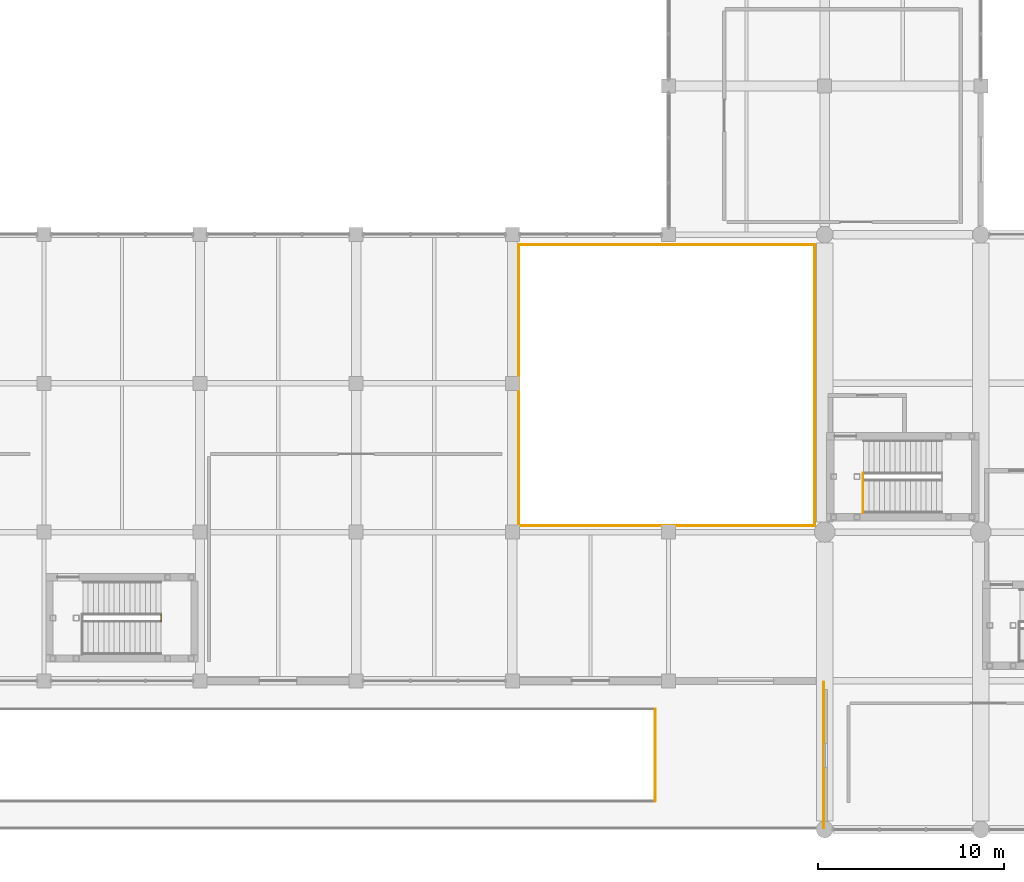
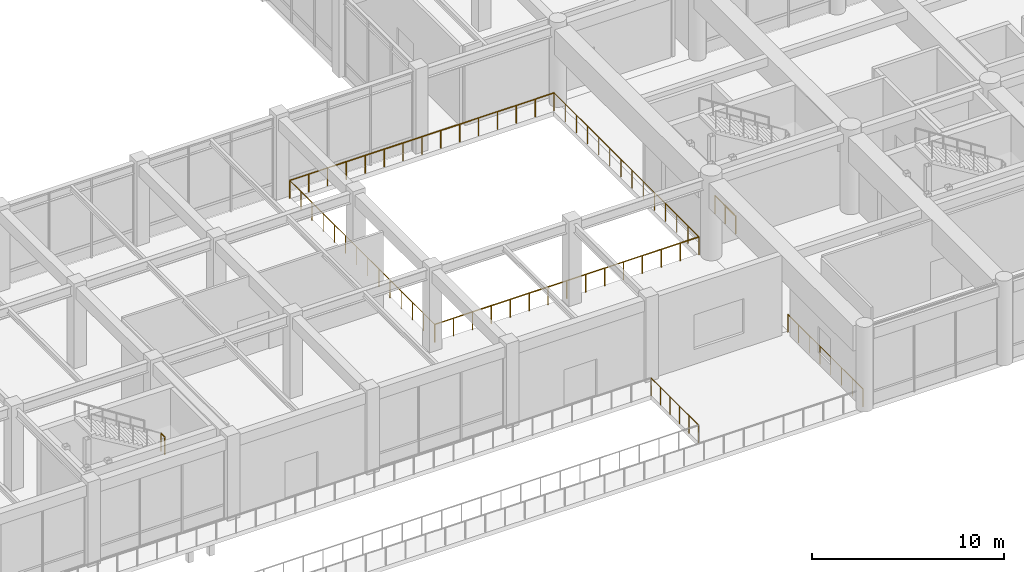
# One storey, part 74 of 79: 8 railings.
"""IFC4 building model written with IfcOpenShell, lengths in metres."""

from ifc_helpers import new_model, si_unit, direction, frame, origin, origin_2d, place, context, subcontext, project, spatial, circle, extrude, material, layer, layer_set, type_object, element, save


model = new_model("IFC4")

# Units and contexts
model_context = context("Model", 3, precision=1e-05, world=origin(), true_north=direction((0.0, 1.0)))
body_context = subcontext(model_context, "Body", "Model", "MODEL_VIEW")
ifc_project = project(units=[si_unit("LENGTHUNIT", "METRE"), si_unit("AREAUNIT", "SQUARE_METRE"), si_unit("VOLUMEUNIT", "CUBIC_METRE"), si_unit("PLANEANGLEUNIT", "RADIAN"), si_unit("MASSUNIT", "GRAM", prefix="KILO")], contexts=[model_context])

# Site, building, storey
site_placement = place(None, origin())
site = spatial("IfcSite", under=ifc_project, at=site_placement, CompositionType="ELEMENT")
building_placement = place(site_placement, origin())
building = spatial("IfcBuilding", under=site, at=building_placement, Name="Naruveol Harbour Congress Hotel", CompositionType="ELEMENT")
storey_placement = place(building_placement, frame((0.0, 0.0, 6.0)))
storey = spatial("IfcBuildingStorey", under=building, at=storey_placement, Name="L01", CompositionType="ELEMENT", Elevation=6.0)

# Railings
ifc_material_1 = material(Name="Steel SN490", Category="steel")
ifc_layer_1 = layer(ifc_material_1, 0.050048828125)
ifc_layer_set_1 = layer_set([ifc_layer_1], Name="Steel SN490")
railing_type_1 = type_object("IfcRailingType", Name="GALVANISED STEEL DECK GUARDRAIL 1150", PredefinedType="GUARDRAIL", material=ifc_layer_set_1)
railing_1_placement = place(storey_placement, frame((108.47998046875, 1.52001953125, 0.0)))
element("IfcRailing", 1, at=railing_1_placement, inside=storey, type_object=railing_type_1, Name="Promenade ramp well guard #6", PredefinedType="GUARDRAIL", context=body_context, shape_type="SweptSolid", body=[
    extrude(circle(Radius=0.02392578125, at=origin_2d()), frame((0.0, 0.0, 1.1259765625), z_axis=(0.0, 1.0, 0.0), x_axis=(-1.0, 0.0, 0.0)), (0.0, 0.0, 1.0), 4.9599609375),
    extrude(circle(Radius=0.02099609375, at=origin_2d()), origin(), (0.0, 0.0, 1.0), 1.101806640625),
    extrude(circle(Radius=0.02099609375, at=origin_2d()), frame((0.0, 0.991943359375, 0.0)), (0.0, 0.0, 1.0), 1.101806640625),
    extrude(circle(Radius=0.02099609375, at=origin_2d()), frame((0.0, 1.98388671875, 0.0)), (0.0, 0.0, 1.0), 1.101806640625),
    extrude(circle(Radius=0.02099609375, at=origin_2d()), frame((0.0, 2.97607421875, 0.0)), (0.0, 0.0, 1.0), 1.101806640625),
    extrude(circle(Radius=0.02099609375, at=origin_2d()), frame((0.0, 3.968017578125, 0.0)), (0.0, 0.0, 1.0), 1.101806640625),
    extrude(circle(Radius=0.02099609375, at=origin_2d()), frame((0.0, 4.9599609375, 0.0)), (0.0, 0.0, 1.0), 1.101806640625),
])
ifc_material_2 = material(Name="Tempered Laminated Safety Glass & Stainless Steel", Category="steel")
ifc_layer_2 = layer(ifc_material_2, 0.06005859375)
ifc_layer_set_2 = layer_set([ifc_layer_2], Name="Tempered Laminated Safety Glass & Stainless Steel")
railing_type_2 = type_object("IfcRailingType", Name="LAMINATED GLASS TERRACE BALUSTRADE 1150", PredefinedType="BALUSTRADE", material=ifc_layer_set_2)
railing_2_placement = place(storey_placement, frame((117.550048828125, 0.080078125, 0.0)))
element("IfcRailing", 2, at=railing_2_placement, inside=storey, type_object=railing_type_2, Name="Promenade deck outer balustrade #3", PredefinedType="BALUSTRADE", context=body_context, shape_type="SweptSolid", body=[
    extrude(circle(Radius=0.02392578125, at=origin_2d()), frame((0.0, 0.0, 1.1259765625), z_axis=(0.0, 1.0, 0.0), x_axis=(-1.0, 0.0, 0.0)), (0.0, 0.0, 1.0), 7.83984375),
    extrude(circle(Radius=0.02099609375, at=origin_2d()), origin(), (0.0, 0.0, 1.0), 1.101806640625),
    extrude(circle(Radius=0.02099609375, at=origin_2d()), frame((0.0, 1.119873046875, 0.0)), (0.0, 0.0, 1.0), 1.101806640625),
    extrude(circle(Radius=0.02099609375, at=origin_2d()), frame((0.0, 2.239990234375, 0.0)), (0.0, 0.0, 1.0), 1.101806640625),
    extrude(circle(Radius=0.02099609375, at=origin_2d()), frame((0.0, 3.35986328125, 0.0)), (0.0, 0.0, 1.0), 1.101806640625),
    extrude(circle(Radius=0.02099609375, at=origin_2d()), frame((0.0, 4.47998046875, 0.0)), (0.0, 0.0, 1.0), 1.101806640625),
    extrude(circle(Radius=0.02099609375, at=origin_2d()), frame((0.0, 5.599853515625, 0.0)), (0.0, 0.0, 1.0), 1.101806640625),
    extrude(circle(Radius=0.02099609375, at=origin_2d()), frame((0.0, 6.719970703125, 0.0)), (0.0, 0.0, 1.0), 1.101806640625),
    extrude(circle(Radius=0.02099609375, at=origin_2d()), frame((0.0, 7.83984375, 0.0)), (0.0, 0.0, 1.0), 1.101806640625),
])
railing_3_placement = place(storey_placement, frame((101.139892578125, 16.340087890625, 0.0)))
element("IfcRailing", 3, at=railing_3_placement, inside=storey, type_object=railing_type_2, Name="Courtyard atrium balustrade L01 #46", PredefinedType="BALUSTRADE", context=body_context, shape_type="SweptSolid", body=[
    extrude(circle(Radius=0.02392578125, at=origin_2d()), frame((0.0, 0.0, 1.1259765625), z_axis=(1.0, 0.0, 0.0), x_axis=(0.0, 1.0, 0.0)), (0.0, 0.0, 1.0), 15.920166015625),
    extrude(circle(Radius=0.02099609375, at=origin_2d()), origin(), (0.0, 0.0, 1.0), 1.101806640625),
    extrude(circle(Radius=0.02099609375, at=origin_2d()), frame((1.13720703125, 0.0, 0.0)), (0.0, 0.0, 1.0), 1.101806640625),
    extrude(circle(Radius=0.02099609375, at=origin_2d()), frame((2.2744140625, 0.0, 0.0)), (0.0, 0.0, 1.0), 1.101806640625),
    extrude(circle(Radius=0.02099609375, at=origin_2d()), frame((3.411376953125, 0.0, 0.0)), (0.0, 0.0, 1.0), 1.101806640625),
    extrude(circle(Radius=0.02099609375, at=origin_2d()), frame((4.548583984375, 0.0, 0.0)), (0.0, 0.0, 1.0), 1.101806640625),
    extrude(circle(Radius=0.02099609375, at=origin_2d()), frame((5.685791015625, 0.0, 0.0)), (0.0, 0.0, 1.0), 1.101806640625),
    extrude(circle(Radius=0.02099609375, at=origin_2d()), frame((6.822998046875, 0.0, 0.0)), (0.0, 0.0, 1.0), 1.101806640625),
    extrude(circle(Radius=0.02099609375, at=origin_2d()), frame((7.9599609375, 0.0, 0.0)), (0.0, 0.0, 1.0), 1.101806640625),
    extrude(circle(Radius=0.02099609375, at=origin_2d()), frame((9.09716796875, 0.0, 0.0)), (0.0, 0.0, 1.0), 1.101806640625),
    extrude(circle(Radius=0.02099609375, at=origin_2d()), frame((10.234375, 0.0, 0.0)), (0.0, 0.0, 1.0), 1.101806640625),
    extrude(circle(Radius=0.02099609375, at=origin_2d()), frame((11.37158203125, 0.0, 0.0)), (0.0, 0.0, 1.0), 1.101806640625),
    extrude(circle(Radius=0.02099609375, at=origin_2d()), frame((12.5087890625, 0.0, 0.0)), (0.0, 0.0, 1.0), 1.101806640625),
    extrude(circle(Radius=0.02099609375, at=origin_2d()), frame((13.645751953125, 0.0, 0.0)), (0.0, 0.0, 1.0), 1.101806640625),
    extrude(circle(Radius=0.02099609375, at=origin_2d()), frame((14.782958984375, 0.0, 0.0)), (0.0, 0.0, 1.0), 1.101806640625),
    extrude(circle(Radius=0.02099609375, at=origin_2d()), frame((15.920166015625, 0.0, 0.0)), (0.0, 0.0, 1.0), 1.101806640625),
])
railing_4_placement = place(storey_placement, frame((117.06005859375, 16.340087890625, 0.0)))
element("IfcRailing", 4, at=railing_4_placement, inside=storey, type_object=railing_type_2, Name="Courtyard atrium balustrade L01 #47", PredefinedType="BALUSTRADE", context=body_context, shape_type="SweptSolid", body=[
    extrude(circle(Radius=0.02392578125, at=origin_2d()), frame((0.0, 0.0, 1.1259765625), z_axis=(0.0, 1.0, 0.0), x_axis=(-1.0, 0.0, 0.0)), (0.0, 0.0, 1.0), 15.119873046875),
    extrude(circle(Radius=0.02099609375, at=origin_2d()), origin(), (0.0, 0.0, 1.0), 1.101806640625),
    extrude(circle(Radius=0.02099609375, at=origin_2d()), frame((0.0, 1.1630859375, 0.0)), (0.0, 0.0, 1.0), 1.101806640625),
    extrude(circle(Radius=0.02099609375, at=origin_2d()), frame((0.0, 2.326171875, 0.0)), (0.0, 0.0, 1.0), 1.101806640625),
    extrude(circle(Radius=0.02099609375, at=origin_2d()), frame((0.0, 3.4892578125, 0.0)), (0.0, 0.0, 1.0), 1.101806640625),
    extrude(circle(Radius=0.02099609375, at=origin_2d()), frame((0.0, 4.65234375, 0.0)), (0.0, 0.0, 1.0), 1.101806640625),
    extrude(circle(Radius=0.02099609375, at=origin_2d()), frame((0.0, 5.8154296875, 0.0)), (0.0, 0.0, 1.0), 1.101806640625),
    extrude(circle(Radius=0.02099609375, at=origin_2d()), frame((0.0, 6.978515625, 0.0)), (0.0, 0.0, 1.0), 1.101806640625),
    extrude(circle(Radius=0.02099609375, at=origin_2d()), frame((0.0, 8.141357421875, 0.0)), (0.0, 0.0, 1.0), 1.101806640625),
    extrude(circle(Radius=0.02099609375, at=origin_2d()), frame((0.0, 9.304443359375, 0.0)), (0.0, 0.0, 1.0), 1.101806640625),
    extrude(circle(Radius=0.02099609375, at=origin_2d()), frame((0.0, 10.467529296875, 0.0)), (0.0, 0.0, 1.0), 1.101806640625),
    extrude(circle(Radius=0.02099609375, at=origin_2d()), frame((0.0, 11.630615234375, 0.0)), (0.0, 0.0, 1.0), 1.101806640625),
    extrude(circle(Radius=0.02099609375, at=origin_2d()), frame((0.0, 12.793701171875, 0.0)), (0.0, 0.0, 1.0), 1.101806640625),
    extrude(circle(Radius=0.02099609375, at=origin_2d()), frame((0.0, 13.956787109375, 0.0)), (0.0, 0.0, 1.0), 1.101806640625),
    extrude(circle(Radius=0.02099609375, at=origin_2d()), frame((0.0, 15.119873046875, 0.0)), (0.0, 0.0, 1.0), 1.101806640625),
])
railing_5_placement = place(storey_placement, frame((117.06005859375, 31.4599609375, 0.0)))
element("IfcRailing", 5, at=railing_5_placement, inside=storey, type_object=railing_type_2, Name="Courtyard atrium balustrade L01 #48", PredefinedType="BALUSTRADE", context=body_context, shape_type="SweptSolid", body=[
    extrude(circle(Radius=0.02392578125, at=origin_2d()), frame((0.0, 0.0, 1.1259765625), z_axis=(-1.0, 0.0, 0.0), x_axis=(0.0, -1.0, 0.0)), (0.0, 0.0, 1.0), 15.920166015625),
    extrude(circle(Radius=0.02099609375, at=origin_2d()), origin(), (0.0, 0.0, 1.0), 1.101806640625),
    extrude(circle(Radius=0.02099609375, at=origin_2d()), frame((-1.13720703125, 0.0, 0.0)), (0.0, 0.0, 1.0), 1.101806640625),
    extrude(circle(Radius=0.02099609375, at=origin_2d()), frame((-2.2744140625, 0.0, 0.0)), (0.0, 0.0, 1.0), 1.101806640625),
    extrude(circle(Radius=0.02099609375, at=origin_2d()), frame((-3.411376953125, 0.0, 0.0)), (0.0, 0.0, 1.0), 1.101806640625),
    extrude(circle(Radius=0.02099609375, at=origin_2d()), frame((-4.548583984375, 0.0, 0.0)), (0.0, 0.0, 1.0), 1.101806640625),
    extrude(circle(Radius=0.02099609375, at=origin_2d()), frame((-5.685791015625, 0.0, 0.0)), (0.0, 0.0, 1.0), 1.101806640625),
    extrude(circle(Radius=0.02099609375, at=origin_2d()), frame((-6.822998046875, 0.0, 0.0)), (0.0, 0.0, 1.0), 1.101806640625),
    extrude(circle(Radius=0.02099609375, at=origin_2d()), frame((-7.9599609375, 0.0, 0.0)), (0.0, 0.0, 1.0), 1.101806640625),
    extrude(circle(Radius=0.02099609375, at=origin_2d()), frame((-9.09716796875, 0.0, 0.0)), (0.0, 0.0, 1.0), 1.101806640625),
    extrude(circle(Radius=0.02099609375, at=origin_2d()), frame((-10.234375, 0.0, 0.0)), (0.0, 0.0, 1.0), 1.101806640625),
    extrude(circle(Radius=0.02099609375, at=origin_2d()), frame((-11.37158203125, 0.0, 0.0)), (0.0, 0.0, 1.0), 1.101806640625),
    extrude(circle(Radius=0.02099609375, at=origin_2d()), frame((-12.5087890625, 0.0, 0.0)), (0.0, 0.0, 1.0), 1.101806640625),
    extrude(circle(Radius=0.02099609375, at=origin_2d()), frame((-13.645751953125, 0.0, 0.0)), (0.0, 0.0, 1.0), 1.101806640625),
    extrude(circle(Radius=0.02099609375, at=origin_2d()), frame((-14.782958984375, 0.0, 0.0)), (0.0, 0.0, 1.0), 1.101806640625),
    extrude(circle(Radius=0.02099609375, at=origin_2d()), frame((-15.920166015625, 0.0, 0.0)), (0.0, 0.0, 1.0), 1.101806640625),
])
railing_6_placement = place(storey_placement, frame((101.139892578125, 31.4599609375, 0.0)))
element("IfcRailing", 6, at=railing_6_placement, inside=storey, type_object=railing_type_2, Name="Courtyard atrium balustrade L01 #49", PredefinedType="BALUSTRADE", context=body_context, shape_type="SweptSolid", body=[
    extrude(circle(Radius=0.02392578125, at=origin_2d()), frame((0.0, 0.0, 1.1259765625), z_axis=(0.0, -1.0, 0.0), x_axis=(1.0, 0.0, 0.0)), (0.0, 0.0, 1.0), 15.119873046875),
    extrude(circle(Radius=0.02099609375, at=origin_2d()), origin(), (0.0, 0.0, 1.0), 1.101806640625),
    extrude(circle(Radius=0.02099609375, at=origin_2d()), frame((0.0, -1.1630859375, 0.0)), (0.0, 0.0, 1.0), 1.101806640625),
    extrude(circle(Radius=0.02099609375, at=origin_2d()), frame((0.0, -2.326171875, 0.0)), (0.0, 0.0, 1.0), 1.101806640625),
    extrude(circle(Radius=0.02099609375, at=origin_2d()), frame((0.0, -3.4892578125, 0.0)), (0.0, 0.0, 1.0), 1.101806640625),
    extrude(circle(Radius=0.02099609375, at=origin_2d()), frame((0.0, -4.65234375, 0.0)), (0.0, 0.0, 1.0), 1.101806640625),
    extrude(circle(Radius=0.02099609375, at=origin_2d()), frame((0.0, -5.8154296875, 0.0)), (0.0, 0.0, 1.0), 1.101806640625),
    extrude(circle(Radius=0.02099609375, at=origin_2d()), frame((0.0, -6.978515625, 0.0)), (0.0, 0.0, 1.0), 1.101806640625),
    extrude(circle(Radius=0.02099609375, at=origin_2d()), frame((0.0, -8.141357421875, 0.0)), (0.0, 0.0, 1.0), 1.101806640625),
    extrude(circle(Radius=0.02099609375, at=origin_2d()), frame((0.0, -9.304443359375, 0.0)), (0.0, 0.0, 1.0), 1.101806640625),
    extrude(circle(Radius=0.02099609375, at=origin_2d()), frame((0.0, -10.467529296875, 0.0)), (0.0, 0.0, 1.0), 1.101806640625),
    extrude(circle(Radius=0.02099609375, at=origin_2d()), frame((0.0, -11.630615234375, 0.0)), (0.0, 0.0, 1.0), 1.101806640625),
    extrude(circle(Radius=0.02099609375, at=origin_2d()), frame((0.0, -12.793701171875, 0.0)), (0.0, 0.0, 1.0), 1.101806640625),
    extrude(circle(Radius=0.02099609375, at=origin_2d()), frame((0.0, -13.956787109375, 0.0)), (0.0, 0.0, 1.0), 1.101806640625),
    extrude(circle(Radius=0.02099609375, at=origin_2d()), frame((0.0, -15.119873046875, 0.0)), (0.0, 0.0, 1.0), 1.101806640625),
])
ifc_material_3 = material(Name="Steel SN490", Category="steel")
ifc_layer_3 = layer(ifc_material_3, 0.044921875)
ifc_layer_set_3 = layer_set([ifc_layer_3], Name="Steel SN490")
railing_type_3 = type_object("IfcRailingType", Name="STAIRWELL STEEL GUARDRAIL 1150", PredefinedType="GUARDRAIL", material=ifc_layer_set_3)
railing_7_placement = place(storey_placement, frame((119.659912109375, 17.02001953125, 0.0)))
element("IfcRailing", 7, at=railing_7_placement, inside=storey, type_object=railing_type_3, Name="Stair ST3 L01 landing well guard", PredefinedType="GUARDRAIL", context=body_context, shape_type="SweptSolid", body=[
    extrude(circle(Radius=0.02392578125, at=origin_2d()), frame((0.0, 0.0, 1.1259765625), z_axis=(0.0, 1.0, 0.0), x_axis=(-1.0, 0.0, 0.0)), (0.0, 0.0, 1.0), 2.14990234375),
    extrude(circle(Radius=0.02099609375, at=origin_2d()), origin(), (0.0, 0.0, 1.0), 1.101806640625),
    extrude(circle(Radius=0.02099609375, at=origin_2d()), frame((0.0, 1.074951171875, 0.0)), (0.0, 0.0, 1.0), 1.101806640625),
    extrude(circle(Radius=0.02099609375, at=origin_2d()), frame((0.0, 2.14990234375, 0.0)), (0.0, 0.0, 1.0), 1.101806640625),
])
railing_8_placement = place(storey_placement, frame((81.89990234375, 11.18994140625, 2.699951171875)))
element("IfcRailing", 8, at=railing_8_placement, inside=storey, type_object=railing_type_3, Name="Stair ST10 L01 half-landing slot guard", PredefinedType="GUARDRAIL", context=body_context, shape_type="SweptSolid", body=[
    extrude(circle(Radius=0.02392578125, at=origin_2d()), frame((0.0, 0.0, 1.1259765625), z_axis=(0.0, 1.0, 0.0), x_axis=(-1.0, 0.0, 0.0)), (0.0, 0.0, 1.0), 0.380126953125),
    extrude(circle(Radius=0.02099609375, at=origin_2d()), origin(), (0.0, 0.0, 1.0), 1.101806640625),
    extrude(circle(Radius=0.02099609375, at=origin_2d()), frame((0.0, 0.380126953125, 0.0)), (0.0, 0.0, 1.0), 1.101806640625),
])

save(model, "model.ifc")
